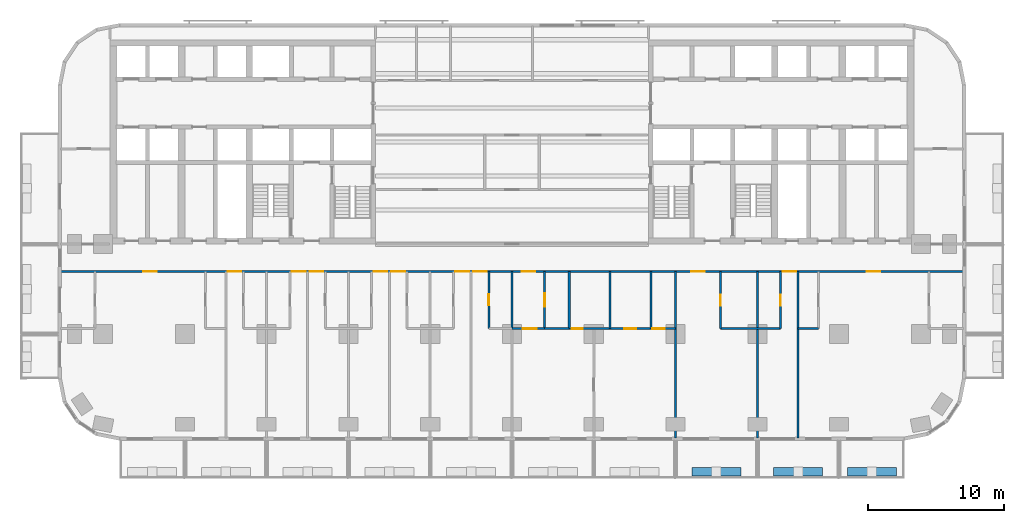
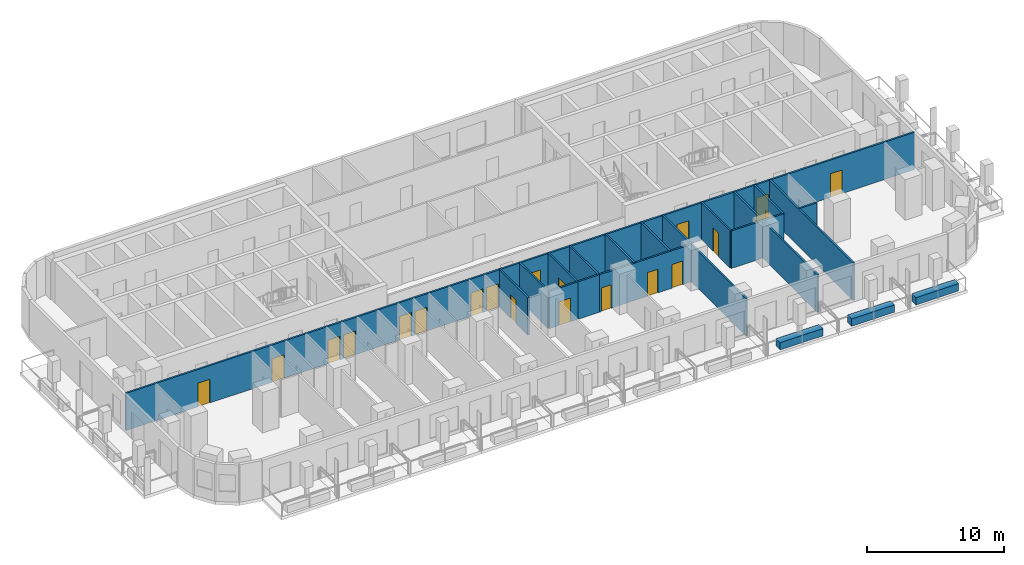
# One storey, part 5 of 13: 20 doors, 20 walls, 20 openings.
"""IFC4 building model written with IfcOpenShell, lengths in metres."""

from ifc_helpers import new_model, si_unit, direction, frame, frame_2d, origin, place, context, subcontext, project, spatial, rectangle, extrude, material, layer, layer_set, type_object, element, fill, save


model = new_model("IFC4")

# Units and contexts
model_context = context("Model", 3, precision=1e-05, world=origin(), true_north=direction((0.0, 1.0)))
body_context = subcontext(model_context, "Body", "Model", "MODEL_VIEW")
ifc_project = project(units=[si_unit("LENGTHUNIT", "METRE"), si_unit("AREAUNIT", "SQUARE_METRE"), si_unit("VOLUMEUNIT", "CUBIC_METRE"), si_unit("PLANEANGLEUNIT", "RADIAN"), si_unit("MASSUNIT", "GRAM", prefix="KILO")], contexts=[model_context])

# Site, building, storey
site_placement = place(None, origin())
site = spatial("IfcSite", under=ifc_project, at=site_placement, CompositionType="ELEMENT")
building_placement = place(site_placement, origin())
building = spatial("IfcBuilding", under=site, at=building_placement, Name="Torana Hotel and Residences", CompositionType="ELEMENT")
storey_placement = place(building_placement, frame((0.0, 0.0, 56.39990234375)))
storey = spatial("IfcBuildingStorey", under=building, at=storey_placement, Name="L13", CompositionType="ELEMENT", Elevation=56.39990234375)

# Wall, opening, door
ifc_material_1 = material(Name="Gypsum plaster")
ifc_layer_1 = layer(ifc_material_1, 0.014892578125, Name="Plaster", Category="finish")
ifc_material_2 = material(Name="Concrete blockwork", Category="masonry")
ifc_layer_2 = layer(ifc_material_2, 0.1201171875, Name="Blockwork", Category="structure")
ifc_layer_3 = layer(ifc_material_1, 0.014892578125, Name="Plaster", Category="finish")
ifc_layer_set_1 = layer_set([ifc_layer_1, ifc_layer_2, ifc_layer_3], Name="FIRE PARTITION 150 BLOCKWORK")
wall_type_1 = type_object("IfcWallType", Name="FIRE PARTITION 150 BLOCKWORK", PredefinedType="PARTITIONING", material=ifc_layer_set_1)
wall_1_placement = place(storey_placement, frame((2.39990234375, -21.199951171875, 0.0), z_axis=(0.0, 0.0, 1.0), x_axis=(0.0, 1.0, 0.0)))
wall_1 = element("IfcWall", 1, at=wall_1_placement, inside=storey, type_object=wall_type_1, Name="Partition L13", PredefinedType="PARTITIONING", context=body_context, shape_type="SweptSolid", body=[
    extrude(rectangle(XDim=4.199951171875, YDim=0.14990234375, at=frame_2d((2.10009765625, 0.0))), origin(), (0.0, 0.0, 1.0), 3.320068359375),
])
opening_1_placement = place(wall_1_placement, frame((1.60009765625, 0.0, 0.0)))
opening_1 = element("IfcOpeningElement", 2, at=opening_1_placement, cuts=wall_1, Name="Opening L13-63", PredefinedType="OPENING", context=body_context, shape_type="SweptSolid", body=[
    extrude(rectangle(XDim=1.0, YDim=2.10009765625, at=frame_2d((0.5, 1.050048828125))), frame((0.0, 0.0849609375, 0.0), z_axis=(0.0, -1.0, 0.0), x_axis=(1.0, 0.0, 0.0)), (0.0, 0.0, 1.0), 0.169921875),
])
ifc_material_3 = material(Name="Steel S235", Category="steel")
door_type_1 = type_object("IfcDoorType", Name="ENTRY FIRE DOOR D6 1000x2100", OperationType="SINGLE_SWING_LEFT", PredefinedType="DOOR", material=ifc_material_3)
door_1_placement = place(opening_1_placement, frame((0.5, 0.0, 0.0), z_axis=(0.0, 0.0, 1.0), x_axis=(-1.0, 0.0, 0.0)))
door_1 = element("IfcDoor", 3, at=door_1_placement, inside=storey, type_object=door_type_1, Name="Door L13", OperationType="SINGLE_SWING_LEFT", OverallHeight=2.10009765625, OverallWidth=1.0, PredefinedType="DOOR", context=body_context, shape_type="SweptSolid", body=[
    extrude(rectangle(XDim=1.0, YDim=2.10009765625, at=frame_2d((0.0, 1.050048828125))), frame((0.0, -0.02490234375, 0.0), z_axis=(0.0, 1.0, 0.0), x_axis=(-1.0, 0.0, 0.0)), (0.0, 0.0, 1.0), 0.050048828125),
])
fill(opening_1, door_1)

# Wall
wall_2_placement = place(storey_placement, frame((0.0, -21.199951171875, 0.0), z_axis=(0.0, 0.0, 1.0), x_axis=(0.0, 1.0, 0.0)))
element("IfcWall", 4, at=wall_2_placement, inside=storey, type_object=wall_type_1, Name="Partition L13", PredefinedType="PARTITIONING", context=body_context, shape_type="SweptSolid", body=[
    extrude(rectangle(XDim=4.199951171875, YDim=0.14990234375, at=frame_2d((2.10009765625, 0.0))), origin(), (0.0, 0.0, 1.0), 3.320068359375),
])

# Wall, opening, door
wall_3_placement = place(storey_placement, frame((0.0, -21.199951171875, 0.0), z_axis=(0.0, 0.0, 1.0), x_axis=(1.0, 0.0, 0.0)))
wall_3 = element("IfcWall", 5, at=wall_3_placement, inside=storey, type_object=wall_type_1, Name="Partition L13", PredefinedType="PARTITIONING", context=body_context, shape_type="SweptSolid", body=[
    extrude(rectangle(XDim=2.39990234375, YDim=0.14990234375, at=frame_2d((1.199951171875, 0.0))), origin(), (0.0, 0.0, 1.0), 3.320068359375),
])
opening_2_placement = place(wall_3_placement, frame((0.800048828125, 0.0, 0.0)))
opening_2 = element("IfcOpeningElement", 6, at=opening_2_placement, cuts=wall_3, Name="Opening L13-64", PredefinedType="OPENING", context=body_context, shape_type="SweptSolid", body=[
    extrude(rectangle(XDim=1.0, YDim=2.10009765625, at=frame_2d((0.5, 1.050048828125))), frame((0.0, 0.0849609375, 0.0), z_axis=(0.0, -1.0, 0.0), x_axis=(1.0, 0.0, 0.0)), (0.0, 0.0, 1.0), 0.169921875),
])
door_2_placement = place(opening_2_placement, frame((0.5, 0.0, 0.0), z_axis=(0.0, 0.0, 1.0), x_axis=(-1.0, 0.0, 0.0)))
door_2 = element("IfcDoor", 7, at=door_2_placement, inside=storey, type_object=door_type_1, Name="Door L13", OperationType="SINGLE_SWING_LEFT", OverallHeight=2.10009765625, OverallWidth=1.0, PredefinedType="DOOR", context=body_context, shape_type="SweptSolid", body=[
    extrude(rectangle(XDim=1.0, YDim=2.10009765625, at=frame_2d((0.0, 1.050048828125))), frame((0.0, -0.02490234375, 0.0), z_axis=(0.0, 1.0, 0.0), x_axis=(-1.0, 0.0, 0.0)), (0.0, 0.0, 1.0), 0.050048828125),
])
fill(opening_2, door_2)

# Wall, openings, doors
wall_4_placement = place(storey_placement, frame((-33.1201171875, -17.0, 0.0), z_axis=(0.0, 0.0, 1.0), x_axis=(1.0, 0.0, 0.0)))
wall_4 = element("IfcWall", 8, at=wall_4_placement, inside=storey, type_object=wall_type_1, Name="Partition L13", PredefinedType="PARTITIONING", context=body_context, shape_type="SweptSolid", body=[
    extrude(rectangle(XDim=66.240234375, YDim=0.14990234375, at=frame_2d((33.1201171875, 0.0))), origin(), (0.0, 0.0, 1.0), 3.320068359375),
])
opening_3_placement = place(wall_4_placement, frame((12.27001953125, 0.0, 0.0)))
opening_3 = element("IfcOpeningElement", 9, at=opening_3_placement, cuts=wall_4, Name="Opening L13-34", PredefinedType="OPENING", context=body_context, shape_type="SweptSolid", body=[
    extrude(rectangle(XDim=1.0, YDim=2.10009765625, at=frame_2d((0.5, 1.050048828125))), frame((0.0, 0.0849609375, 0.0), z_axis=(0.0, -1.0, 0.0), x_axis=(1.0, 0.0, 0.0)), (0.0, 0.0, 1.0), 0.169921875),
])
opening_4_placement = place(wall_4_placement, frame((16.969970703125, 0.0, 0.0)))
opening_4 = element("IfcOpeningElement", 10, at=opening_4_placement, cuts=wall_4, Name="Opening L13-35", PredefinedType="OPENING", context=body_context, shape_type="SweptSolid", body=[
    extrude(rectangle(XDim=1.0, YDim=2.10009765625, at=frame_2d((0.5, 1.050048828125))), frame((0.0, 0.0849609375, 0.0), z_axis=(0.0, -1.0, 0.0), x_axis=(1.0, 0.0, 0.0)), (0.0, 0.0, 1.0), 0.169921875),
])
opening_5_placement = place(wall_4_placement, frame((18.27001953125, 0.0, 0.0)))
opening_5 = element("IfcOpeningElement", 11, at=opening_5_placement, cuts=wall_4, Name="Opening L13-36", PredefinedType="OPENING", context=body_context, shape_type="SweptSolid", body=[
    extrude(rectangle(XDim=1.0, YDim=2.10009765625, at=frame_2d((0.5, 1.050048828125))), frame((0.0, 0.0849609375, 0.0), z_axis=(0.0, -1.0, 0.0), x_axis=(1.0, 0.0, 0.0)), (0.0, 0.0, 1.0), 0.169921875),
])
opening_6_placement = place(wall_4_placement, frame((22.969970703125, 0.0, 0.0)))
opening_6 = element("IfcOpeningElement", 12, at=opening_6_placement, cuts=wall_4, Name="Opening L13-37", PredefinedType="OPENING", context=body_context, shape_type="SweptSolid", body=[
    extrude(rectangle(XDim=1.0, YDim=2.10009765625, at=frame_2d((0.5, 1.050048828125))), frame((0.0, 0.0849609375, 0.0), z_axis=(0.0, -1.0, 0.0), x_axis=(1.0, 0.0, 0.0)), (0.0, 0.0, 1.0), 0.169921875),
])
opening_7_placement = place(wall_4_placement, frame((24.27001953125, 0.0, 0.0)))
opening_7 = element("IfcOpeningElement", 13, at=opening_7_placement, cuts=wall_4, Name="Opening L13-38", PredefinedType="OPENING", context=body_context, shape_type="SweptSolid", body=[
    extrude(rectangle(XDim=1.0, YDim=2.10009765625, at=frame_2d((0.5, 1.050048828125))), frame((0.0, 0.0849609375, 0.0), z_axis=(0.0, -1.0, 0.0), x_axis=(1.0, 0.0, 0.0)), (0.0, 0.0, 1.0), 0.169921875),
])
opening_8_placement = place(wall_4_placement, frame((28.969970703125, 0.0, 0.0)))
opening_8 = element("IfcOpeningElement", 14, at=opening_8_placement, cuts=wall_4, Name="Opening L13-39", PredefinedType="OPENING", context=body_context, shape_type="SweptSolid", body=[
    extrude(rectangle(XDim=1.0, YDim=2.10009765625, at=frame_2d((0.5, 1.050048828125))), frame((0.0, 0.0849609375, 0.0), z_axis=(0.0, -1.0, 0.0), x_axis=(1.0, 0.0, 0.0)), (0.0, 0.0, 1.0), 0.169921875),
])
opening_9_placement = place(wall_4_placement, frame((30.27001953125, 0.0, 0.0)))
opening_9 = element("IfcOpeningElement", 15, at=opening_9_placement, cuts=wall_4, Name="Opening L13-40", PredefinedType="OPENING", context=body_context, shape_type="SweptSolid", body=[
    extrude(rectangle(XDim=1.0, YDim=2.10009765625, at=frame_2d((0.5, 1.050048828125))), frame((0.0, 0.0849609375, 0.0), z_axis=(0.0, -1.0, 0.0), x_axis=(1.0, 0.0, 0.0)), (0.0, 0.0, 1.0), 0.169921875),
])
opening_10_placement = place(wall_4_placement, frame((33.820068359375, 0.0, 0.0)))
opening_10 = element("IfcOpeningElement", 16, at=opening_10_placement, cuts=wall_4, Name="Opening L13-41", PredefinedType="OPENING", context=body_context, shape_type="SweptSolid", body=[
    extrude(rectangle(XDim=1.0, YDim=2.10009765625, at=frame_2d((0.5, 1.050048828125))), frame((0.0, 0.0849609375, 0.0), z_axis=(0.0, -1.0, 0.0), x_axis=(1.0, 0.0, 0.0)), (0.0, 0.0, 1.0), 0.169921875),
])
opening_11_placement = place(wall_4_placement, frame((46.27001953125, 0.0, 0.0)))
opening_11 = element("IfcOpeningElement", 17, at=opening_11_placement, cuts=wall_4, Name="Opening L13-42", PredefinedType="OPENING", context=body_context, shape_type="SweptSolid", body=[
    extrude(rectangle(XDim=1.0, YDim=2.10009765625, at=frame_2d((0.5, 1.050048828125))), frame((0.0, 0.0849609375, 0.0), z_axis=(0.0, -1.0, 0.0), x_axis=(1.0, 0.0, 0.0)), (0.0, 0.0, 1.0), 0.169921875),
])
opening_12_placement = place(wall_4_placement, frame((52.969970703125, 0.0, 0.0)))
opening_12 = element("IfcOpeningElement", 18, at=opening_12_placement, cuts=wall_4, Name="Opening L13-43", PredefinedType="OPENING", context=body_context, shape_type="SweptSolid", body=[
    extrude(rectangle(XDim=1.0, YDim=2.10009765625, at=frame_2d((0.5, 1.050048828125))), frame((0.0, 0.0849609375, 0.0), z_axis=(0.0, -1.0, 0.0), x_axis=(1.0, 0.0, 0.0)), (0.0, 0.0, 1.0), 0.169921875),
])
opening_13_placement = place(wall_4_placement, frame((6.050048828125, 0.0, 0.0)))
opening_13 = element("IfcOpeningElement", 19, at=opening_13_placement, cuts=wall_4, Name="Opening L13-44", PredefinedType="OPENING", context=body_context, shape_type="SweptSolid", body=[
    extrude(rectangle(XDim=1.0, YDim=2.10009765625, at=frame_2d((0.5, 1.050048828125))), frame((0.0, 0.0849609375, 0.0), z_axis=(0.0, -1.0, 0.0), x_axis=(1.0, 0.0, 0.0)), (0.0, 0.0, 1.0), 0.169921875),
])
opening_14_placement = place(wall_4_placement, frame((59.14990234375, 0.0, 0.0)))
opening_14 = element("IfcOpeningElement", 20, at=opening_14_placement, cuts=wall_4, Name="Opening L13-45", PredefinedType="OPENING", context=body_context, shape_type="SweptSolid", body=[
    extrude(rectangle(XDim=1.0, YDim=2.10009765625, at=frame_2d((0.5, 1.050048828125))), frame((0.0, 0.0849609375, 0.0), z_axis=(0.0, -1.0, 0.0), x_axis=(1.0, 0.0, 0.0)), (0.0, 0.0, 1.0), 0.169921875),
])
door_3_placement = place(opening_3_placement, frame((0.5, 0.0, 0.0), z_axis=(0.0, 0.0, 1.0), x_axis=(-1.0, 0.0, 0.0)))
door_3 = element("IfcDoor", 21, at=door_3_placement, inside=storey, type_object=door_type_1, Name="Door L13", OperationType="SINGLE_SWING_LEFT", OverallHeight=2.10009765625, OverallWidth=1.0, PredefinedType="DOOR", context=body_context, shape_type="SweptSolid", body=[
    extrude(rectangle(XDim=1.0, YDim=2.10009765625, at=frame_2d((0.0, 1.050048828125))), frame((0.0, -0.02490234375, 0.0), z_axis=(0.0, 1.0, 0.0), x_axis=(-1.0, 0.0, 0.0)), (0.0, 0.0, 1.0), 0.050048828125),
])
fill(opening_3, door_3)
door_4_placement = place(opening_4_placement, frame((0.5, 0.0, 0.0), z_axis=(0.0, 0.0, 1.0), x_axis=(-1.0, 0.0, 0.0)))
door_4 = element("IfcDoor", 22, at=door_4_placement, inside=storey, type_object=door_type_1, Name="Door L13", OperationType="SINGLE_SWING_LEFT", OverallHeight=2.10009765625, OverallWidth=1.0, PredefinedType="DOOR", context=body_context, shape_type="SweptSolid", body=[
    extrude(rectangle(XDim=1.0, YDim=2.10009765625, at=frame_2d((0.0, 1.050048828125))), frame((0.0, -0.02490234375, 0.0), z_axis=(0.0, 1.0, 0.0), x_axis=(-1.0, 0.0, 0.0)), (0.0, 0.0, 1.0), 0.050048828125),
])
fill(opening_4, door_4)
door_5_placement = place(opening_5_placement, frame((0.5, 0.0, 0.0), z_axis=(0.0, 0.0, 1.0), x_axis=(-1.0, 0.0, 0.0)))
door_5 = element("IfcDoor", 23, at=door_5_placement, inside=storey, type_object=door_type_1, Name="Door L13", OperationType="SINGLE_SWING_LEFT", OverallHeight=2.10009765625, OverallWidth=1.0, PredefinedType="DOOR", context=body_context, shape_type="SweptSolid", body=[
    extrude(rectangle(XDim=1.0, YDim=2.10009765625, at=frame_2d((0.0, 1.050048828125))), frame((0.0, -0.02490234375, 0.0), z_axis=(0.0, 1.0, 0.0), x_axis=(-1.0, 0.0, 0.0)), (0.0, 0.0, 1.0), 0.050048828125),
])
fill(opening_5, door_5)
door_6_placement = place(opening_6_placement, frame((0.5, 0.0, 0.0), z_axis=(0.0, 0.0, 1.0), x_axis=(-1.0, 0.0, 0.0)))
door_6 = element("IfcDoor", 24, at=door_6_placement, inside=storey, type_object=door_type_1, Name="Door L13", OperationType="SINGLE_SWING_LEFT", OverallHeight=2.10009765625, OverallWidth=1.0, PredefinedType="DOOR", context=body_context, shape_type="SweptSolid", body=[
    extrude(rectangle(XDim=1.0, YDim=2.10009765625, at=frame_2d((0.0, 1.050048828125))), frame((0.0, -0.02490234375, 0.0), z_axis=(0.0, 1.0, 0.0), x_axis=(-1.0, 0.0, 0.0)), (0.0, 0.0, 1.0), 0.050048828125),
])
fill(opening_6, door_6)
door_7_placement = place(opening_7_placement, frame((0.5, 0.0, 0.0), z_axis=(0.0, 0.0, 1.0), x_axis=(-1.0, 0.0, 0.0)))
door_7 = element("IfcDoor", 25, at=door_7_placement, inside=storey, type_object=door_type_1, Name="Door L13", OperationType="SINGLE_SWING_LEFT", OverallHeight=2.10009765625, OverallWidth=1.0, PredefinedType="DOOR", context=body_context, shape_type="SweptSolid", body=[
    extrude(rectangle(XDim=1.0, YDim=2.10009765625, at=frame_2d((0.0, 1.050048828125))), frame((0.0, -0.02490234375, 0.0), z_axis=(0.0, 1.0, 0.0), x_axis=(-1.0, 0.0, 0.0)), (0.0, 0.0, 1.0), 0.050048828125),
])
fill(opening_7, door_7)
door_8_placement = place(opening_8_placement, frame((0.5, 0.0, 0.0), z_axis=(0.0, 0.0, 1.0), x_axis=(-1.0, 0.0, 0.0)))
door_8 = element("IfcDoor", 26, at=door_8_placement, inside=storey, type_object=door_type_1, Name="Door L13", OperationType="SINGLE_SWING_LEFT", OverallHeight=2.10009765625, OverallWidth=1.0, PredefinedType="DOOR", context=body_context, shape_type="SweptSolid", body=[
    extrude(rectangle(XDim=1.0, YDim=2.10009765625, at=frame_2d((0.0, 1.050048828125))), frame((0.0, -0.02490234375, 0.0), z_axis=(0.0, 1.0, 0.0), x_axis=(-1.0, 0.0, 0.0)), (0.0, 0.0, 1.0), 0.050048828125),
])
fill(opening_8, door_8)
door_9_placement = place(opening_9_placement, frame((0.5, 0.0, 0.0), z_axis=(0.0, 0.0, 1.0), x_axis=(-1.0, 0.0, 0.0)))
door_9 = element("IfcDoor", 27, at=door_9_placement, inside=storey, type_object=door_type_1, Name="Door L13", OperationType="SINGLE_SWING_LEFT", OverallHeight=2.10009765625, OverallWidth=1.0, PredefinedType="DOOR", context=body_context, shape_type="SweptSolid", body=[
    extrude(rectangle(XDim=1.0, YDim=2.10009765625, at=frame_2d((0.0, 1.050048828125))), frame((0.0, -0.02490234375, 0.0), z_axis=(0.0, 1.0, 0.0), x_axis=(-1.0, 0.0, 0.0)), (0.0, 0.0, 1.0), 0.050048828125),
])
fill(opening_9, door_9)
door_10_placement = place(opening_10_placement, origin())
door_10 = element("IfcDoor", 28, at=door_10_placement, inside=storey, type_object=door_type_1, Name="Door L13", OperationType="SINGLE_SWING_RIGHT", OverallHeight=2.10009765625, OverallWidth=1.0, PredefinedType="DOOR", context=body_context, shape_type="SweptSolid", body=[
    extrude(rectangle(XDim=1.0, YDim=2.10009765625, at=frame_2d((0.5, 1.050048828125))), frame((0.0, 0.02490234375, 0.0), z_axis=(0.0, -1.0, 0.0), x_axis=(1.0, 0.0, 0.0)), (0.0, 0.0, 1.0), 0.050048828125),
])
fill(opening_10, door_10)
door_11_placement = place(opening_11_placement, frame((0.5, 0.0, 0.0), z_axis=(0.0, 0.0, 1.0), x_axis=(-1.0, 0.0, 0.0)))
door_11 = element("IfcDoor", 29, at=door_11_placement, inside=storey, type_object=door_type_1, Name="Door L13", OperationType="SINGLE_SWING_LEFT", OverallHeight=2.10009765625, OverallWidth=1.0, PredefinedType="DOOR", context=body_context, shape_type="SweptSolid", body=[
    extrude(rectangle(XDim=1.0, YDim=2.10009765625, at=frame_2d((0.0, 1.050048828125))), frame((0.0, -0.02490234375, 0.0), z_axis=(0.0, 1.0, 0.0), x_axis=(-1.0, 0.0, 0.0)), (0.0, 0.0, 1.0), 0.050048828125),
])
fill(opening_11, door_11)
door_12_placement = place(opening_12_placement, frame((0.5, 0.0, 0.0), z_axis=(0.0, 0.0, 1.0), x_axis=(-1.0, 0.0, 0.0)))
door_12 = element("IfcDoor", 30, at=door_12_placement, inside=storey, type_object=door_type_1, Name="Door L13", OperationType="SINGLE_SWING_LEFT", OverallHeight=2.10009765625, OverallWidth=1.0, PredefinedType="DOOR", context=body_context, shape_type="SweptSolid", body=[
    extrude(rectangle(XDim=1.0, YDim=2.10009765625, at=frame_2d((0.0, 1.050048828125))), frame((0.0, -0.02490234375, 0.0), z_axis=(0.0, 1.0, 0.0), x_axis=(-1.0, 0.0, 0.0)), (0.0, 0.0, 1.0), 0.050048828125),
])
fill(opening_12, door_12)
door_13_placement = place(opening_13_placement, frame((0.5, 0.0, 0.0), z_axis=(0.0, 0.0, 1.0), x_axis=(-1.0, 0.0, 0.0)))
door_13 = element("IfcDoor", 31, at=door_13_placement, inside=storey, type_object=door_type_1, Name="Door L13", OperationType="SINGLE_SWING_LEFT", OverallHeight=2.10009765625, OverallWidth=1.0, PredefinedType="DOOR", context=body_context, shape_type="SweptSolid", body=[
    extrude(rectangle(XDim=1.0, YDim=2.10009765625, at=frame_2d((0.0, 1.050048828125))), frame((0.0, -0.02490234375, 0.0), z_axis=(0.0, 1.0, 0.0), x_axis=(-1.0, 0.0, 0.0)), (0.0, 0.0, 1.0), 0.050048828125),
])
fill(opening_13, door_13)
door_14_placement = place(opening_14_placement, frame((0.5, 0.0, 0.0), z_axis=(0.0, 0.0, 1.0), x_axis=(-1.0, 0.0, 0.0)))
door_14 = element("IfcDoor", 32, at=door_14_placement, inside=storey, type_object=door_type_1, Name="Door L13", OperationType="SINGLE_SWING_LEFT", OverallHeight=2.10009765625, OverallWidth=1.0, PredefinedType="DOOR", context=body_context, shape_type="SweptSolid", body=[
    extrude(rectangle(XDim=1.0, YDim=2.10009765625, at=frame_2d((0.0, 1.050048828125))), frame((0.0, -0.02490234375, 0.0), z_axis=(0.0, 1.0, 0.0), x_axis=(-1.0, 0.0, 0.0)), (0.0, 0.0, 1.0), 0.050048828125),
])
fill(opening_14, door_14)

# Wall
ifc_material_4 = material(Name="Gypsum plasterboard")
ifc_layer_4 = layer(ifc_material_4, 0.012451171875, Name="Plasterboard", Category="finish")
ifc_layer_5 = layer(ifc_material_4, 0.012451171875, Name="Plasterboard", Category="finish")
ifc_material_5 = material(Name="Steel S280GD", Category="steel")
ifc_layer_6 = layer(ifc_material_5, 0.10009765625, Name="Steel studs with mineral wool", Category="insulation")
ifc_layer_7 = layer(ifc_material_4, 0.012451171875, Name="Plasterboard", Category="finish")
ifc_layer_8 = layer(ifc_material_4, 0.012451171875, Name="Plasterboard", Category="finish")
ifc_layer_set_2 = layer_set([ifc_layer_4, ifc_layer_5, ifc_layer_6, ifc_layer_7, ifc_layer_8], Name="PARTITION 150 PLASTERBOARD")
wall_type_2 = type_object("IfcWallType", Name="PARTITION 150 PLASTERBOARD", PredefinedType="PARTITIONING", material=ifc_layer_set_2)
wall_5_placement = place(storey_placement, frame((21.0, -29.219970703125, 0.0), z_axis=(0.0, 0.0, 1.0), x_axis=(0.0, 1.0, 0.0)))
element("IfcWall", 33, at=wall_5_placement, inside=storey, type_object=wall_type_2, Name="Partition L13", PredefinedType="PARTITIONING", context=body_context, shape_type="SweptSolid", body=[
    extrude(rectangle(XDim=12.219970703125, YDim=0.14990234375, at=frame_2d((6.10986328125, 0.0))), origin(), (0.0, 0.0, 1.0), 3.320068359375),
])

# Wall, opening, door
wall_6_placement = place(storey_placement, frame((19.699951171875, -21.199951171875, 0.0), z_axis=(0.0, 0.0, 1.0), x_axis=(0.0, 1.0, 0.0)))
wall_6 = element("IfcWall", 34, at=wall_6_placement, inside=storey, type_object=wall_type_2, Name="Partition L13", PredefinedType="PARTITIONING", context=body_context, shape_type="SweptSolid", body=[
    extrude(rectangle(XDim=4.199951171875, YDim=0.14990234375, at=frame_2d((2.10009765625, 0.0))), origin(), (0.0, 0.0, 1.0), 3.320068359375),
])
opening_15_placement = place(wall_6_placement, frame((1.679931640625, 0.0, 0.0)))
opening_15 = element("IfcOpeningElement", 35, at=opening_15_placement, cuts=wall_6, Name="Opening L13-70", PredefinedType="OPENING", context=body_context, shape_type="SweptSolid", body=[
    extrude(rectangle(XDim=0.800048828125, YDim=2.10009765625, at=frame_2d((0.39990234375, 1.050048828125))), frame((0.0, 0.0849609375, 0.0), z_axis=(0.0, -1.0, 0.0), x_axis=(1.0, 0.0, 0.0)), (0.0, 0.0, 1.0), 0.169921875),
])
ifc_material_6 = material(Name="Timber door, painted", Category="wood")
door_type_2 = type_object("IfcDoorType", Name="BATH DOOR D13 800x2100", OperationType="SINGLE_SWING_LEFT", PredefinedType="DOOR", material=ifc_material_6)
door_15_placement = place(opening_15_placement, origin())
door_15 = element("IfcDoor", 36, at=door_15_placement, inside=storey, type_object=door_type_2, Name="Door L13", OperationType="SINGLE_SWING_RIGHT", OverallHeight=2.10009765625, OverallWidth=0.800048828125, PredefinedType="DOOR", context=body_context, shape_type="SweptSolid", body=[
    extrude(rectangle(XDim=0.800048828125, YDim=2.10009765625, at=frame_2d((0.39990234375, 1.050048828125))), frame((0.0, 0.02490234375, 0.0), z_axis=(0.0, -1.0, 0.0), x_axis=(1.0, 0.0, 0.0)), (0.0, 0.0, 1.0), 0.050048828125),
])
fill(opening_15, door_15)

# Wall
wall_7_placement = place(storey_placement, frame((18.0, -29.219970703125, 0.0), z_axis=(0.0, 0.0, 1.0), x_axis=(0.0, 1.0, 0.0)))
element("IfcWall", 37, at=wall_7_placement, inside=storey, type_object=wall_type_2, Name="Partition L13", PredefinedType="PARTITIONING", context=body_context, shape_type="SweptSolid", body=[
    extrude(rectangle(XDim=12.219970703125, YDim=0.14990234375, at=frame_2d((6.10986328125, 0.0))), origin(), (0.0, 0.0, 1.0), 3.320068359375),
])

# Wall, opening, door
wall_8_placement = place(storey_placement, frame((15.300048828125, -21.199951171875, 0.0), z_axis=(0.0, 0.0, 1.0), x_axis=(0.0, 1.0, 0.0)))
wall_8 = element("IfcWall", 38, at=wall_8_placement, inside=storey, type_object=wall_type_2, Name="Partition L13", PredefinedType="PARTITIONING", context=body_context, shape_type="SweptSolid", body=[
    extrude(rectangle(XDim=4.199951171875, YDim=0.14990234375, at=frame_2d((2.10009765625, 0.0))), origin(), (0.0, 0.0, 1.0), 3.320068359375),
])
opening_16_placement = place(wall_8_placement, frame((1.699951171875, 0.0, 0.0)))
opening_16 = element("IfcOpeningElement", 39, at=opening_16_placement, cuts=wall_8, Name="Opening L13-69", PredefinedType="OPENING", context=body_context, shape_type="SweptSolid", body=[
    extrude(rectangle(XDim=0.800048828125, YDim=2.10009765625, at=frame_2d((0.39990234375, 1.050048828125))), frame((0.0, 0.0849609375, 0.0), z_axis=(0.0, -1.0, 0.0), x_axis=(1.0, 0.0, 0.0)), (0.0, 0.0, 1.0), 0.169921875),
])
door_16_placement = place(opening_16_placement, origin())
door_16 = element("IfcDoor", 40, at=door_16_placement, inside=storey, type_object=door_type_2, Name="Door L13", OperationType="SINGLE_SWING_RIGHT", OverallHeight=2.10009765625, OverallWidth=0.800048828125, PredefinedType="DOOR", context=body_context, shape_type="SweptSolid", body=[
    extrude(rectangle(XDim=0.800048828125, YDim=2.10009765625, at=frame_2d((0.39990234375, 1.050048828125))), frame((0.0, 0.02490234375, 0.0), z_axis=(0.0, -1.0, 0.0), x_axis=(1.0, 0.0, 0.0)), (0.0, 0.0, 1.0), 0.050048828125),
])
fill(opening_16, door_16)

# Walls
wall_9_placement = place(storey_placement, frame((12.0, -29.219970703125, 0.0), z_axis=(0.0, 0.0, 1.0), x_axis=(0.0, 1.0, 0.0)))
element("IfcWall", 41, at=wall_9_placement, inside=storey, type_object=wall_type_2, Name="Partition L13", PredefinedType="PARTITIONING", context=body_context, shape_type="SweptSolid", body=[
    extrude(rectangle(XDim=12.219970703125, YDim=0.14990234375, at=frame_2d((6.10986328125, 0.0))), origin(), (0.0, 0.0, 1.0), 3.320068359375),
])
for number, where, z_axis, x_axis, name in (
    (42, (10.199951171875, -21.199951171875, 0.0), (0.0, 0.0, 1.0), (0.0, 1.0, 0.0), "Partition L13"),
    (43, (7.199951171875, -21.199951171875, 0.0), (0.0, 0.0, 1.0), (0.0, 1.0, 0.0), "Partition L13"),
):
    element("IfcWall", number, at=place(storey_placement, frame(where, z_axis=z_axis, x_axis=x_axis)), inside=storey, type_object=wall_type_2, Name=name, PredefinedType="PARTITIONING", context=body_context, shape_type="SweptSolid", body=[
        extrude(rectangle(XDim=4.199951171875, YDim=0.14990234375, at=frame_2d((2.10009765625, 0.0))), origin(), (0.0, 0.0, 1.0), 3.320068359375),
    ])

# Wall, opening, door
wall_10_placement = place(storey_placement, frame((-1.699951171875, -21.199951171875, 0.0), z_axis=(0.0, 0.0, 1.0), x_axis=(0.0, 1.0, 0.0)))
wall_10 = element("IfcWall", 44, at=wall_10_placement, inside=storey, type_object=wall_type_2, Name="Partition L13", PredefinedType="PARTITIONING", context=body_context, shape_type="SweptSolid", body=[
    extrude(rectangle(XDim=4.199951171875, YDim=0.14990234375, at=frame_2d((2.10009765625, 0.0))), origin(), (0.0, 0.0, 1.0), 3.320068359375),
])
opening_17_placement = place(wall_10_placement, frame((1.719970703125, 0.0, 0.0)))
opening_17 = element("IfcOpeningElement", 45, at=opening_17_placement, cuts=wall_10, Name="Opening L13-62", PredefinedType="OPENING", context=body_context, shape_type="SweptSolid", body=[
    extrude(rectangle(XDim=0.800048828125, YDim=2.10009765625, at=frame_2d((0.39990234375, 1.050048828125))), frame((0.0, 0.0849609375, 0.0), z_axis=(0.0, -1.0, 0.0), x_axis=(1.0, 0.0, 0.0)), (0.0, 0.0, 1.0), 0.169921875),
])
door_17_placement = place(opening_17_placement, origin())
door_17 = element("IfcDoor", 46, at=door_17_placement, inside=storey, type_object=door_type_2, Name="Door L13", OperationType="SINGLE_SWING_RIGHT", OverallHeight=2.10009765625, OverallWidth=0.800048828125, PredefinedType="DOOR", context=body_context, shape_type="SweptSolid", body=[
    extrude(rectangle(XDim=0.800048828125, YDim=2.10009765625, at=frame_2d((0.39990234375, 1.050048828125))), frame((0.0, 0.02490234375, 0.0), z_axis=(0.0, -1.0, 0.0), x_axis=(1.0, 0.0, 0.0)), (0.0, 0.0, 1.0), 0.050048828125),
])
fill(opening_17, door_17)

# Wall, openings, doors
wall_11_placement = place(storey_placement, frame((4.199951171875, -21.199951171875, 0.0), z_axis=(0.0, 0.0, 1.0), x_axis=(1.0, 0.0, 0.0)))
wall_11 = element("IfcWall", 47, at=wall_11_placement, inside=storey, type_object=wall_type_2, Name="Partition L13", PredefinedType="PARTITIONING", context=body_context, shape_type="SweptSolid", body=[
    extrude(rectangle(XDim=7.800048828125, YDim=0.14990234375, at=frame_2d((3.89990234375, 0.0))), origin(), (0.0, 0.0, 1.0), 3.320068359375),
])
opening_18_placement = place(wall_11_placement, frame((0.199951171875, 0.0, 0.0)))
opening_18 = element("IfcOpeningElement", 48, at=opening_18_placement, cuts=wall_11, Name="Opening L13-65", PredefinedType="OPENING", context=body_context, shape_type="SweptSolid", body=[
    extrude(rectangle(XDim=0.800048828125, YDim=2.10009765625, at=frame_2d((0.39990234375, 1.050048828125))), frame((0.0, 0.0849609375, 0.0), z_axis=(0.0, -1.0, 0.0), x_axis=(1.0, 0.0, 0.0)), (0.0, 0.0, 1.0), 0.169921875),
])
opening_19_placement = place(wall_11_placement, frame((4.030029296875, 0.0, 0.0)))
opening_19 = element("IfcOpeningElement", 49, at=opening_19_placement, cuts=wall_11, Name="Opening L13-66", PredefinedType="OPENING", context=body_context, shape_type="SweptSolid", body=[
    extrude(rectangle(XDim=0.89990234375, YDim=2.10009765625, at=frame_2d((0.449951171875, 1.050048828125))), frame((0.0, 0.0849609375, 0.0), z_axis=(0.0, -1.0, 0.0), x_axis=(1.0, 0.0, 0.0)), (0.0, 0.0, 1.0), 0.169921875),
])
opening_20_placement = place(wall_11_placement, frame((6.10009765625, 0.0, 0.0)))
opening_20 = element("IfcOpeningElement", 50, at=opening_20_placement, cuts=wall_11, Name="Opening L13-67", PredefinedType="OPENING", context=body_context, shape_type="SweptSolid", body=[
    extrude(rectangle(XDim=0.89990234375, YDim=2.10009765625, at=frame_2d((0.449951171875, 1.050048828125))), frame((0.0, 0.0849609375, 0.0), z_axis=(0.0, -1.0, 0.0), x_axis=(1.0, 0.0, 0.0)), (0.0, 0.0, 1.0), 0.169921875),
])
door_18_placement = place(opening_18_placement, origin())
door_18 = element("IfcDoor", 51, at=door_18_placement, inside=storey, type_object=door_type_2, Name="Door L13", OperationType="SINGLE_SWING_LEFT", OverallHeight=2.10009765625, OverallWidth=0.800048828125, PredefinedType="DOOR", context=body_context, shape_type="SweptSolid", body=[
    extrude(rectangle(XDim=0.800048828125, YDim=2.10009765625, at=frame_2d((0.39990234375, 1.050048828125))), frame((0.0, 0.02490234375, 0.0), z_axis=(0.0, -1.0, 0.0), x_axis=(1.0, 0.0, 0.0)), (0.0, 0.0, 1.0), 0.050048828125),
])
fill(opening_18, door_18)
ifc_material_7 = material(Name="Timber door, oiled ash", Category="wood")
door_type_3 = type_object("IfcDoorType", Name="ROOM DOOR D7 900x2100", OperationType="SINGLE_SWING_LEFT", PredefinedType="DOOR", material=ifc_material_7)
door_19_placement = place(opening_19_placement, origin())
door_19 = element("IfcDoor", 52, at=door_19_placement, inside=storey, type_object=door_type_3, Name="Door L13", OperationType="SINGLE_SWING_RIGHT", OverallHeight=2.10009765625, OverallWidth=0.89990234375, PredefinedType="DOOR", context=body_context, shape_type="SweptSolid", body=[
    extrude(rectangle(XDim=0.89990234375, YDim=2.10009765625, at=frame_2d((0.449951171875, 1.050048828125))), frame((0.0, 0.02490234375, 0.0), z_axis=(0.0, -1.0, 0.0), x_axis=(1.0, 0.0, 0.0)), (0.0, 0.0, 1.0), 0.050048828125),
])
fill(opening_19, door_19)
door_20_placement = place(opening_20_placement, frame((0.449951171875, 0.0, 0.0), z_axis=(0.0, 0.0, 1.0), x_axis=(-1.0, 0.0, 0.0)))
door_20 = element("IfcDoor", 53, at=door_20_placement, inside=storey, type_object=door_type_3, Name="Door L13", OperationType="SINGLE_SWING_RIGHT", OverallHeight=2.10009765625, OverallWidth=0.89990234375, PredefinedType="DOOR", context=body_context, shape_type="SweptSolid", body=[
    extrude(rectangle(XDim=0.89990234375, YDim=2.10009765625, at=frame_2d((0.0, 1.050048828125))), frame((0.0, -0.02490234375, 0.0), z_axis=(0.0, 1.0, 0.0), x_axis=(-1.0, 0.0, 0.0)), (0.0, 0.0, 1.0), 0.050048828125),
])
fill(opening_20, door_20)

# Walls
wall_12_placement = place(storey_placement, frame((15.300048828125, -21.199951171875, 0.0), z_axis=(0.0, 0.0, 1.0), x_axis=(1.0, 0.0, 0.0)))
element("IfcWall", 54, at=wall_12_placement, inside=storey, type_object=wall_type_2, Name="Partition L13", PredefinedType="PARTITIONING", context=body_context, shape_type="SweptSolid", body=[
    extrude(rectangle(XDim=4.39990234375, YDim=0.14990234375, at=frame_2d((2.199951171875, 0.0))), origin(), (0.0, 0.0, 1.0), 3.320068359375),
])
wall_13_placement = place(storey_placement, frame((21.0, -21.199951171875, 0.0), z_axis=(0.0, 0.0, 1.0), x_axis=(1.0, 0.0, 0.0)))
element("IfcWall", 55, at=wall_13_placement, inside=storey, type_object=wall_type_2, Name="Partition L13", PredefinedType="PARTITIONING", context=body_context, shape_type="SweptSolid", body=[
    extrude(rectangle(XDim=1.5, YDim=0.14990234375, at=frame_2d((0.75, 0.0))), origin(), (0.0, 0.0, 1.0), 3.320068359375),
])
ifc_material_8 = material(Name="Concrete C40/50 precast", Category="concrete")
ifc_layer_9 = layer(ifc_material_8, 0.10009765625, Name="Planter shell", Category="structure")
ifc_material_9 = material(Name="Root resistant membrane")
ifc_layer_10 = layer(ifc_material_9, 0.00390625, Name="Waterproofing membrane", Category="membrane")
ifc_material_10 = material(Name="Drainage board with filter fleece")
ifc_layer_11 = layer(ifc_material_10, 0.02001953125, Name="Drainage board", Category="drainage")
ifc_material_11 = material(Name="Growing medium")
ifc_layer_12 = layer(ifc_material_11, 0.47607421875, Name="Planting substrate", Category="soil")
ifc_layer_set_3 = layer_set([ifc_layer_9, ifc_layer_10, ifc_layer_11, ifc_layer_12], Name="PL1 BALCONY PLANTER 600")
wall_type_3 = type_object("IfcWallType", Name="PL1 BALCONY PLANTER 600", PredefinedType="USERDEFINED", material=ifc_layer_set_3)
for number, where, z_axis, x_axis, name in (
    (56, (16.800048828125, -31.699951171875, 0.0), (0.0, 0.0, 1.0), (-1.0, 0.0, 0.0), "Planter 08"),
    (57, (22.800048828125, -31.699951171875, 0.0), (0.0, 0.0, 1.0), (-1.0, 0.0, 0.0), "Planter 09"),
):
    element("IfcWall", number, at=place(storey_placement, frame(where, z_axis=z_axis, x_axis=x_axis)), inside=storey, type_object=wall_type_3, Name=name, ObjectType="PLANTER", PredefinedType="USERDEFINED", context=body_context, shape_type="SweptSolid", body=[
        extrude(rectangle(XDim=3.60009765625, YDim=0.60009765625, at=frame_2d((1.800048828125, 0.0))), origin(), (0.0, 0.0, 1.0), 0.650146484375),
    ])
wall_14_placement = place(storey_placement, frame((28.199951171875, -31.699951171875, 0.0), z_axis=(0.0, 0.0, 1.0), x_axis=(-1.0, 0.0, 0.0)))
element("IfcWall", 58, at=wall_14_placement, inside=storey, type_object=wall_type_3, Name="Planter 10", ObjectType="PLANTER", PredefinedType="USERDEFINED", context=body_context, shape_type="SweptSolid", body=[
    extrude(rectangle(XDim=3.599853515625, YDim=0.60009765625, at=frame_2d((1.7998046875, 0.0))), origin(), (0.0, 0.0, 1.0), 0.650146484375),
])
ifc_material_12 = material(Name="Ceramic tile on adhesive")
ifc_layer_13 = layer(ifc_material_12, 0.010009765625, Name="Wall tile", Category="finish")
ifc_material_13 = material(Name="Cement render")
ifc_layer_14 = layer(ifc_material_13, 0.010009765625, Name="Render", Category="finish")
ifc_layer_15 = layer(ifc_material_2, 0.110107421875, Name="Blockwork", Category="structure")
ifc_layer_16 = layer(ifc_material_13, 0.010009765625, Name="Render", Category="finish")
ifc_layer_17 = layer(ifc_material_12, 0.010009765625, Name="Wall tile", Category="finish")
ifc_layer_set_4 = layer_set([ifc_layer_13, ifc_layer_14, ifc_layer_15, ifc_layer_16, ifc_layer_17], Name="WC PARTITION 150")
wall_type_4 = type_object("IfcWallType", Name="WC PARTITION 150", PredefinedType="PLUMBINGWALL", material=ifc_layer_set_4)
wall_15_placement = place(storey_placement, frame((4.199951171875, -21.199951171875, 0.0), z_axis=(0.0, 0.0, 1.0), x_axis=(0.0, 1.0, 0.0)))
element("IfcWall", 59, at=wall_15_placement, inside=storey, type_object=wall_type_4, Name="Partition L13", PredefinedType="PLUMBINGWALL", context=body_context, shape_type="SweptSolid", body=[
    extrude(rectangle(XDim=4.199951171875, YDim=0.14990234375, at=frame_2d((2.10009765625, 0.0))), origin(), (0.0, 0.0, 1.0), 3.320068359375),
])
wall_16_placement = place(storey_placement, frame((2.39990234375, -21.199951171875, 0.0), z_axis=(0.0, 0.0, 1.0), x_axis=(1.0, 0.0, 0.0)))
element("IfcWall", 60, at=wall_16_placement, inside=storey, type_object=wall_type_4, Name="Partition L13", PredefinedType="PLUMBINGWALL", context=body_context, shape_type="SweptSolid", body=[
    extrude(rectangle(XDim=1.800048828125, YDim=0.14990234375, at=frame_2d((0.89990234375, 0.0))), origin(), (0.0, 0.0, 1.0), 3.320068359375),
])

save(model, "model.ifc")
